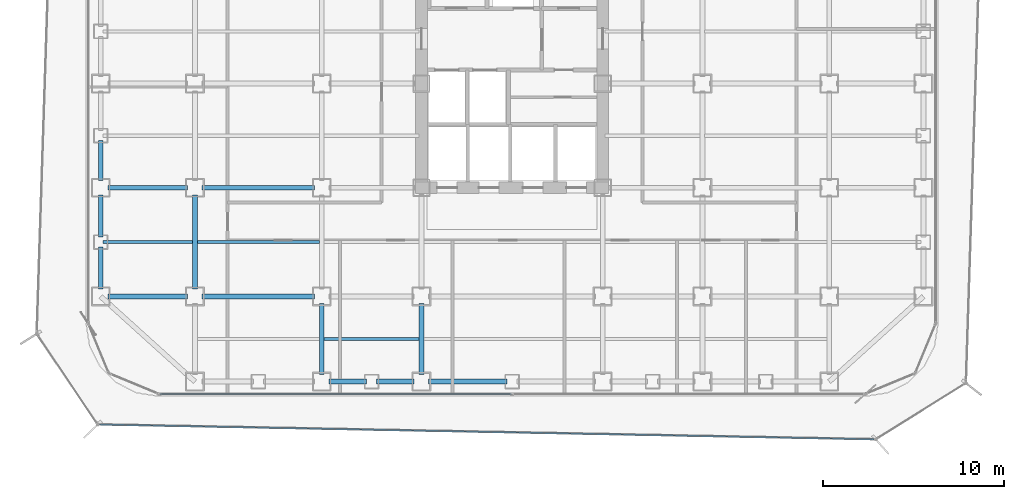
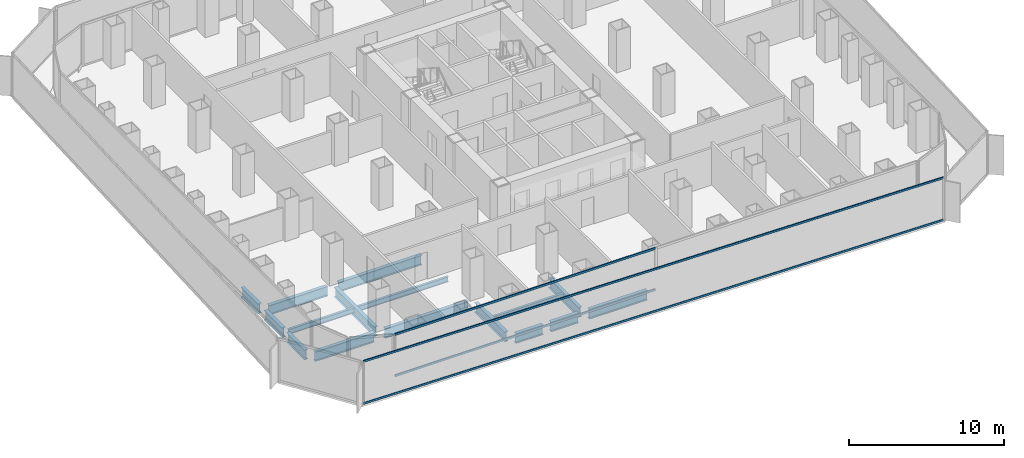
# One storey, part 3 of 22: 16 beams, 4 members, 2 elements without a shape of their own.
"""IFC4 building model written with IfcOpenShell, lengths in metres."""

import ifcopenshell
import ifcopenshell.guid

model = None  # the IFC model being written
_history = None  # IfcOwnerHistory: only IFC2X3 demands one
_inside = {}  # id of a spatial element -> (the spatial element, [elements in it])
_under = {}  # id of a project, library or spatial element -> (it, [spatial elements below it])
_declared = {}  # id of a project -> (the project, [libraries it declares])
_typed = {}  # id of a type object -> (the type object, [elements of that type])
_made_of = {}  # id of a material, layer set ... -> (it, [elements and type objects made of it])


def new_model(schema):
    """Start an empty IFC model of exactly this schema.

    Asked for "IFC4X3", IfcOpenShell would pick the latest addendum, in which some entities
    have other attributes; the version numbers below select the first issue.
    IFC2X3 requires an IfcOwnerHistory on every rooted entity: one is made here for all.
    """
    global model, _history
    if schema == "IFC4X3":
        model = ifcopenshell.file(schema_version=(4, 3, 0, 0))
    else:
        model = ifcopenshell.file(schema=schema)
    _inside.clear()
    _under.clear()
    _declared.clear()
    _typed.clear()
    _made_of.clear()
    _history = None
    if model.schema == "IFC2X3":
        org = make("IfcOrganization", Name="unknown")
        user = make(
            "IfcPersonAndOrganization",
            ThePerson=make("IfcPerson", FamilyName="unknown"),
            TheOrganization=org,
        )
        app = make(
            "IfcApplication",
            ApplicationDeveloper=org,
            Version="unknown",
            ApplicationFullName="unknown",
            ApplicationIdentifier="unknown",
        )
        _history = make(
            "IfcOwnerHistory",
            OwningUser=user,
            OwningApplication=app,
            ChangeAction="ADDED",
            CreationDate=0,
        )
    return model


def make(cls, **values):
    """One entity of the class cls with the attributes given. An attribute that is None is left unset."""
    return model.create_entity(
        cls, **{name: value for name, value in values.items() if value is not None}
    )


def rooted(cls, **values):
    """An entity with a GlobalId (a new one), such as an element, a storey or a relation."""
    return make(cls, GlobalId=ifcopenshell.guid.new(), OwnerHistory=_history, **values)


def si_unit(unit_type, name, prefix=None):
    """IfcSIUnit, for example si_unit("LENGTHUNIT", "METRE", prefix="MILLI")."""
    return make("IfcSIUnit", UnitType=unit_type, Prefix=prefix, Name=name)


def assignment(units):
    """IfcUnitAssignment: the units of a project."""
    return None if units is None else make("IfcUnitAssignment", Units=units)


def point(xyz):
    """IfcCartesianPoint."""
    return None if xyz is None else make("IfcCartesianPoint", Coordinates=xyz)


def direction(xyz):
    """IfcDirection."""
    return None if xyz is None else make("IfcDirection", DirectionRatios=xyz)


def frame(location, z_axis=None, x_axis=None):
    """IfcAxis2Placement3D, a coordinate frame: its origin and axes. An axis left out is left unset."""
    return make(
        "IfcAxis2Placement3D",
        Location=point(location),
        Axis=direction(z_axis),
        RefDirection=direction(x_axis),
    )


def frame_2d(location, x_axis=None):
    """IfcAxis2Placement2D, a coordinate frame in the plane: its origin and x axis."""
    return make(
        "IfcAxis2Placement2D", Location=point(location), RefDirection=direction(x_axis)
    )


def origin():
    """The frame at (0, 0, 0) with its axes left unset."""
    return frame((0.0, 0.0, 0.0))


def origin_2d():
    """The frame at (0, 0) in the plane with its x axis left unset."""
    return frame_2d((0.0, 0.0))


def place(relative_to, where):
    """IfcLocalPlacement: puts the frame where relative to a parent placement (None: the world)."""
    return make(
        "IfcLocalPlacement", PlacementRelTo=relative_to, RelativePlacement=where
    )


def context(
    kind, dimensions, precision=None, world=None, true_north=None, identifier=None
):
    """IfcGeometricRepresentationContext, for example the 3D "Model" context."""
    return make(
        "IfcGeometricRepresentationContext",
        ContextIdentifier=identifier,
        ContextType=kind,
        CoordinateSpaceDimension=dimensions,
        Precision=precision,
        WorldCoordinateSystem=world,
        TrueNorth=true_north,
    )


def subcontext(parent, identifier, kind, view, scale=None):
    """IfcGeometricRepresentationSubContext, for example "Body" below "Model"."""
    return make(
        "IfcGeometricRepresentationSubContext",
        ContextIdentifier=identifier,
        ContextType=kind,
        ParentContext=parent,
        TargetScale=scale,
        TargetView=view,
    )


def project(units=None, contexts=None):
    """IfcProject with its units and contexts."""
    return rooted(
        "IfcProject",
        Name="project",
        RepresentationContexts=contexts,
        UnitsInContext=assignment(units),
    )


def spatial(cls, under=None, at=None, **own):
    """A site, building, storey or space (cls), placed at a placement, below another one or the project."""
    s = rooted(cls, ObjectPlacement=at, **own)
    if under is not None:
        _under.setdefault(under.id(), (under, []))[1].append(s)
    return s


def profile(cls, at=None, kind="AREA", **sizes):
    """A parametric profile (cls). Its sizes go by their IFC names, for example OverallWidth=200.0."""
    return make(cls, ProfileType=kind, Position=at, **sizes)


def hollow_rectangle(**sizes):
    """IfcRectangleHollowProfileDef."""
    return profile("IfcRectangleHollowProfileDef", **sizes)


def i_section(**sizes):
    """IfcIShapeProfileDef."""
    return profile("IfcIShapeProfileDef", **sizes)


def extrude(swept, where, along, depth):
    """IfcExtrudedAreaSolid: the profile swept, set in the frame where, extruded along a direction by depth."""
    return make(
        "IfcExtrudedAreaSolid",
        SweptArea=swept,
        Position=where,
        ExtrudedDirection=direction(along),
        Depth=depth,
    )


def shape(context_of_items, identifier, shape_type, items):
    """IfcShapeRepresentation: the items that make up one representation, for example the "Body"."""
    return make(
        "IfcShapeRepresentation",
        ContextOfItems=context_of_items,
        RepresentationIdentifier=identifier,
        RepresentationType=shape_type,
        Items=items,
    )


def source(mapping_origin, context_of_items, identifier, shape_type, items):
    """IfcRepresentationMap: a shape defined once, which mapped items show again and again."""
    return make(
        "IfcRepresentationMap",
        MappingOrigin=mapping_origin,
        MappedRepresentation=shape(context_of_items, identifier, shape_type, items),
    )


def transform(
    local_origin,
    x_axis=None,
    y_axis=None,
    z_axis=None,
    scale=None,
    scale2=None,
    scale3=None,
    uniform=True,
):
    """IfcCartesianTransformationOperator3D, or its non-uniform kind. x_axis, y_axis, z_axis: its Axis1, 2, 3."""
    if uniform:
        return make(
            "IfcCartesianTransformationOperator3D",
            Axis1=direction(x_axis),
            Axis2=direction(y_axis),
            LocalOrigin=point(local_origin),
            Scale=scale,
            Axis3=direction(z_axis),
        )
    return make(
        "IfcCartesianTransformationOperator3DnonUniform",
        Axis1=direction(x_axis),
        Axis2=direction(y_axis),
        LocalOrigin=point(local_origin),
        Scale=scale,
        Axis3=direction(z_axis),
        Scale2=scale2,
        Scale3=scale3,
    )


def mapped(mapping_source, mapping_target):
    """IfcMappedItem: shows the shape of a source again, moved by a transform."""
    return make(
        "IfcMappedItem", MappingSource=mapping_source, MappingTarget=mapping_target
    )


def material(Name=None, Category=None):
    """IfcMaterial."""
    return make("IfcMaterial", Name=Name, Category=Category)


def layer(
    of_material, thickness, ventilated=None, Name=None, Category=None, Priority=None
):
    """IfcMaterialLayer: one layer of a wall or slab, of a material (None: an air gap)."""
    return make(
        "IfcMaterialLayer",
        Material=of_material,
        LayerThickness=thickness,
        IsVentilated=ventilated,
        Name=Name,
        Category=Category,
        Priority=Priority,
    )


def layer_set(layers, Name=None):
    """IfcMaterialLayerSet."""
    return make("IfcMaterialLayerSet", MaterialLayers=layers, LayerSetName=Name)


def material_profile(
    of_material, cross_section, Name=None, Category=None, Priority=None
):
    """IfcMaterialProfile: a cross section and its material."""
    return make(
        "IfcMaterialProfile",
        Name=Name,
        Material=of_material,
        Profile=cross_section,
        Priority=Priority,
        Category=Category,
    )


def profile_set(profiles, Name=None, composite=None):
    """IfcMaterialProfileSet."""
    return make(
        "IfcMaterialProfileSet",
        Name=Name,
        MaterialProfiles=profiles,
        CompositeProfile=composite,
    )


def made_of(thing, what):
    """Note that an element or type object is made of a material, layer set ...; save() writes the relation."""
    if what is not None:
        _made_of.setdefault(what.id(), (what, []))[1].append(thing)
    return thing


def type_object(cls, material=None, **own):
    """A type object (cls), such as IfcWallType, which elements share."""
    return made_of(rooted(cls, **own), material)


def element(
    cls,
    number,
    at=None,
    inside=None,
    cuts=None,
    type_object=None,
    material=None,
    context=None,
    identifier="Body",
    shape_type=None,
    held_by="IfcProductDefinitionShape",
    body=None,
    shapes=None,
    **own,
):
    """One element of the class cls, such as IfcWall. Its Tag is "e" and its number.

    at: its placement. inside: the storey or other place that contains it. cuts: it is an
    opening in that element (IfcRelVoidsElement). A single representation is given by context,
    identifier, shape_type and body (its items); several are given by shapes. held_by: the class
    of the entity that holds the representations. save() writes the other relations.
    """
    e = rooted(cls, Tag="e%d" % number, ObjectPlacement=at, **own)
    if body is not None:
        shapes = [shape(context, identifier, shape_type, body)]
    if shapes is not None:
        e.Representation = make(held_by, Representations=shapes)
    if inside is not None:
        _inside.setdefault(inside.id(), (inside, []))[1].append(e)
    if cuts is not None:
        rooted(
            "IfcRelVoidsElement", RelatingBuildingElement=cuts, RelatedOpeningElement=e
        )
    if type_object is not None:
        _typed.setdefault(type_object.id(), (type_object, []))[1].append(e)
    return made_of(e, material)


def aggregate(whole, parts):
    """IfcRelAggregates: a whole, such as a stair, and the parts it consists of."""
    return rooted("IfcRelAggregates", RelatingObject=whole, RelatedObjects=parts)


def save(model, path):
    """Write the relations noted so far, then the file.

    IfcRelAggregates (storeys below a building ...), IfcRelContainedInSpatialStructure (elements
    in a storey), IfcRelDefinesByType, IfcRelAssociatesMaterial and IfcRelDeclares: one each for
    every whole, place, type object, material and project.
    """
    for whole, parts in _under.values():
        aggregate(whole, parts)
    for where, things in _inside.values():
        rooted(
            "IfcRelContainedInSpatialStructure",
            RelatedElements=things,
            RelatingStructure=where,
        )
    for kind, things in _typed.values():
        rooted("IfcRelDefinesByType", RelatedObjects=things, RelatingType=kind)
    for what, things in _made_of.values():
        rooted("IfcRelAssociatesMaterial", RelatedObjects=things, RelatingMaterial=what)
    for by, libraries in _declared.values():
        rooted("IfcRelDeclares", RelatingContext=by, RelatedDefinitions=libraries)
    model.write(path)


model = new_model("IFC4")

# Units and contexts
model_context = context("Model", 3, precision=1e-05, world=origin(), true_north=direction((0.0, 1.0)))
body_context = subcontext(model_context, "Body", "Model", "MODEL_VIEW")
ifc_project = project(units=[si_unit("LENGTHUNIT", "METRE"), si_unit("AREAUNIT", "SQUARE_METRE"), si_unit("VOLUMEUNIT", "CUBIC_METRE"), si_unit("PLANEANGLEUNIT", "RADIAN"), si_unit("MASSUNIT", "GRAM", prefix="KILO")], contexts=[model_context])

# Site, building, storey
site_placement = place(None, origin())
site = spatial("IfcSite", under=ifc_project, at=site_placement, CompositionType="ELEMENT")
building_placement = place(site_placement, origin())
building = spatial("IfcBuilding", under=site, at=building_placement, Name="Kolveth Station Tower", CompositionType="ELEMENT")
storey_placement = place(building_placement, frame((0.0, 0.0, 69.300048828125)))
storey = spatial("IfcBuildingStorey", under=building, at=storey_placement, Name="L18", CompositionType="ELEMENT", Elevation=69.300048828125)

# Beams
ifc_material_1 = material(Name="Steel S355", Category="steel")
ifc_material_profile_1 = material_profile(ifc_material_1, i_section(OverallWidth=0.26904296875, OverallDepth=0.77490234375, WebThickness=0.01708984375, FlangeThickness=0.0283203125, at=origin_2d()), Name="W760x220")
ifc_profile_set_1 = profile_set([ifc_material_profile_1], Name="Steel S355")
beam_type_1 = type_object("IfcBeamType", Name="Beam_SP1", PredefinedType="SPANDREL", material=ifc_profile_set_1)
shared_shape_1 = source(origin(), body_context, "Body", "SweptSolid", [
    extrude(i_section(OverallWidth=0.26904296875, OverallDepth=0.77490234375, WebThickness=0.01708984375, FlangeThickness=0.0283203125, at=origin_2d()), origin(), (0.0, 0.0, 1.0), 2.070068359375),
])
for number, where, z_axis, x_axis, name in (
    (1, (13.39990234375, 0.800048828125, -0.66748046875), (1.0, 0.0, 0.0), (0.0, 1.0, 0.0), "L18 Perimeter Spandrel BM-L18-PS-3"),
    (2, (16.030029296875, 0.800048828125, -0.66748046875), (1.0, 0.0, 0.0), (0.0, 1.0, 0.0), "L18 Perimeter Spandrel BM-L18-PS-4"),
):
    element("IfcBeam", number, at=place(storey_placement, frame(where, z_axis=z_axis, x_axis=x_axis)), inside=storey, type_object=beam_type_1, Name=name, PredefinedType="SPANDREL", context=body_context, shape_type="MappedRepresentation", body=[
        mapped(shared_shape_1, transform((0.0, 0.0, 0.0), x_axis=(1.0, 0.0, 0.0), y_axis=(0.0, 1.0, 0.0), z_axis=(0.0, 0.0, 1.0), scale=1.0)),
    ])
shared_shape_2 = source(origin(), body_context, "Body", "SweptSolid", [
    extrude(i_section(OverallWidth=0.26904296875, OverallDepth=0.77490234375, WebThickness=0.01708984375, FlangeThickness=0.0283203125, at=origin_2d()), origin(), (0.0, 0.0, 1.0), 4.320068359375),
])
beam_1_placement = place(storey_placement, frame((18.89990234375, 0.800048828125, -0.66748046875), z_axis=(1.0, 0.0, 0.0), x_axis=(0.0, 1.0, 0.0)))
element("IfcBeam", 3, at=beam_1_placement, inside=storey, type_object=beam_type_1, Name="L18 Perimeter Spandrel BM-L18-PS-5", PredefinedType="SPANDREL", context=body_context, shape_type="MappedRepresentation", body=[
    mapped(shared_shape_2, transform((0.0, 0.0, 0.0), x_axis=(1.0, 0.0, 0.0), y_axis=(0.0, 1.0, 0.0), z_axis=(0.0, 0.0, 1.0), scale=1.0)),
])
shared_shape_3 = source(origin(), body_context, "Body", "SweptSolid", [
    extrude(i_section(OverallWidth=0.26904296875, OverallDepth=0.77490234375, WebThickness=0.01708984375, FlangeThickness=0.0283203125, at=origin_2d()), origin(), (0.0, 0.0, 1.0), 2.320068359375),
])
for number, where, z_axis, x_axis, name in (
    (4, (0.800048828125, 5.89990234375, -0.66748046875), (0.0, 1.0, 0.0), (-1.0, 0.0, 0.0), "L18 Perimeter Spandrel BM-L18-PW-1"),
    (5, (0.800048828125, 8.780029296875, -0.66748046875), (0.0, 1.0, 0.0), (-1.0, 0.0, 0.0), "L18 Perimeter Spandrel BM-L18-PW-2"),
):
    element("IfcBeam", number, at=place(storey_placement, frame(where, z_axis=z_axis, x_axis=x_axis)), inside=storey, type_object=beam_type_1, Name=name, PredefinedType="SPANDREL", context=body_context, shape_type="MappedRepresentation", body=[
        mapped(shared_shape_3, transform((0.0, 0.0, 0.0), x_axis=(1.0, 0.0, 0.0), y_axis=(0.0, 1.0, 0.0), z_axis=(0.0, 0.0, 1.0), scale=1.0)),
    ])
shared_shape_4 = source(origin(), body_context, "Body", "SweptSolid", [
    extrude(i_section(OverallWidth=0.26904296875, OverallDepth=0.77490234375, WebThickness=0.01708984375, FlangeThickness=0.0283203125, at=origin_2d()), origin(), (0.0, 0.0, 1.0), 2.2001953125),
])
beam_2_placement = place(storey_placement, frame((0.800048828125, 11.89990234375, -0.66748046875), z_axis=(0.0, 1.0, 0.0), x_axis=(-1.0, 0.0, 0.0)))
element("IfcBeam", 6, at=beam_2_placement, inside=storey, type_object=beam_type_1, Name="L18 Perimeter Spandrel BM-L18-PW-3", PredefinedType="SPANDREL", context=body_context, shape_type="MappedRepresentation", body=[
    mapped(shared_shape_4, transform((0.0, 0.0, 0.0), x_axis=(1.0, 0.0, 0.0), y_axis=(0.0, 1.0, 0.0), z_axis=(0.0, 0.0, 1.0), scale=1.0)),
])
ifc_material_profile_2 = material_profile(ifc_material_1, i_section(OverallWidth=0.26708984375, OverallDepth=0.76611328125, WebThickness=0.014892578125, FlangeThickness=0.023681640625, at=origin_2d()), Name="W760x185")
ifc_profile_set_2 = profile_set([ifc_material_profile_2], Name="Steel S355")
beam_type_2 = type_object("IfcBeamType", Name="Beam_B3", PredefinedType="BEAM", material=ifc_profile_set_2)
shared_shape_5 = source(origin(), body_context, "Body", "SweptSolid", [
    extrude(i_section(OverallWidth=0.26708984375, OverallDepth=0.76611328125, WebThickness=0.014892578125, FlangeThickness=0.023681640625, at=origin_2d()), origin(), (0.0, 0.0, 1.0), 4.400146484375),
])
for number, where, z_axis, x_axis, name in (
    (7, (1.199951171875, 5.5, -0.6630859375), (1.0, 0.0, 0.0), (0.0, 1.0, 0.0), "L18 Primary Girder BM-L18-GY55-1"),
    (8, (1.199951171875, 11.5, -0.6630859375), (1.0, 0.0, 0.0), (0.0, 1.0, 0.0), "L18 Primary Girder BM-L18-GY115-1"),
):
    element("IfcBeam", number, at=place(storey_placement, frame(where, z_axis=z_axis, x_axis=x_axis)), inside=storey, type_object=beam_type_2, Name=name, PredefinedType="BEAM", context=body_context, shape_type="MappedRepresentation", body=[
        mapped(shared_shape_5, transform((0.0, 0.0, 0.0), x_axis=(1.0, 0.0, 0.0), y_axis=(0.0, 1.0, 0.0), z_axis=(0.0, 0.0, 1.0), scale=1.0)),
    ])
shared_shape_6 = source(origin(), body_context, "Body", "SweptSolid", [
    extrude(i_section(OverallWidth=0.26708984375, OverallDepth=0.76611328125, WebThickness=0.014892578125, FlangeThickness=0.023681640625, at=origin_2d()), origin(), (0.0, 0.0, 1.0), 6.2001953125),
])
for number, where, z_axis, x_axis, name in (
    (9, (6.39990234375, 5.5, -0.6630859375), (1.0, 0.0, 0.0), (0.0, 1.0, 0.0), "L18 Primary Girder BM-L18-GY55-2"),
    (10, (6.39990234375, 11.5, -0.6630859375), (1.0, 0.0, 0.0), (0.0, 1.0, 0.0), "L18 Primary Girder BM-L18-GY115-2"),
):
    element("IfcBeam", number, at=place(storey_placement, frame(where, z_axis=z_axis, x_axis=x_axis)), inside=storey, type_object=beam_type_2, Name=name, PredefinedType="BEAM", context=body_context, shape_type="MappedRepresentation", body=[
        mapped(shared_shape_6, transform((0.0, 0.0, 0.0), x_axis=(1.0, 0.0, 0.0), y_axis=(0.0, 1.0, 0.0), z_axis=(0.0, 0.0, 1.0), scale=1.0)),
    ])
shared_shape_7 = source(origin(), body_context, "Body", "SweptSolid", [
    extrude(i_section(OverallWidth=0.26708984375, OverallDepth=0.76611328125, WebThickness=0.014892578125, FlangeThickness=0.023681640625, at=origin_2d()), origin(), (0.0, 0.0, 1.0), 3.900146484375),
])
for number, where, z_axis, x_axis, name in (
    (11, (13.0, 1.199951171875, -0.6630859375), (0.0, 1.0, 0.0), (-1.0, 0.0, 0.0), "L18 Primary Girder BM-L18-GX130-1"),
    (12, (18.5, 1.199951171875, -0.6630859375), (0.0, 1.0, 0.0), (-1.0, 0.0, 0.0), "L18 Primary Girder BM-L18-GX185-1"),
):
    element("IfcBeam", number, at=place(storey_placement, frame(where, z_axis=z_axis, x_axis=x_axis)), inside=storey, type_object=beam_type_2, Name=name, PredefinedType="BEAM", context=body_context, shape_type="MappedRepresentation", body=[
        mapped(shared_shape_7, transform((0.0, 0.0, 0.0), x_axis=(1.0, 0.0, 0.0), y_axis=(0.0, 1.0, 0.0), z_axis=(0.0, 0.0, 1.0), scale=1.0)),
    ])
shared_shape_8 = source(origin(), body_context, "Body", "SweptSolid", [
    extrude(i_section(OverallWidth=0.26708984375, OverallDepth=0.76611328125, WebThickness=0.014892578125, FlangeThickness=0.023681640625, at=origin_2d()), origin(), (0.0, 0.0, 1.0), 5.2001953125),
])
beam_3_placement = place(storey_placement, frame((6.0, 5.89990234375, -0.6630859375), z_axis=(0.0, 1.0, 0.0), x_axis=(-1.0, 0.0, 0.0)))
element("IfcBeam", 13, at=beam_3_placement, inside=storey, type_object=beam_type_2, Name="L18 Primary Girder BM-L18-GX60-2", PredefinedType="BEAM", context=body_context, shape_type="MappedRepresentation", body=[
    mapped(shared_shape_8, transform((0.0, 0.0, 0.0), x_axis=(1.0, 0.0, 0.0), y_axis=(0.0, 1.0, 0.0), z_axis=(0.0, 0.0, 1.0), scale=1.0)),
])
ifc_material_profile_3 = material_profile(ifc_material_1, i_section(OverallWidth=0.177978515625, OverallDepth=0.406982421875, WebThickness=0.0078125, FlangeThickness=0.0126953125, at=origin_2d()), Name="W410x60")
ifc_profile_set_3 = profile_set([ifc_material_profile_3], Name="Steel S355")
beam_type_3 = type_object("IfcBeamType", Name="Beam_J1", PredefinedType="JOIST", material=ifc_profile_set_3)
shared_shape_9 = source(origin(), body_context, "Body", "SweptSolid", [
    extrude(i_section(OverallWidth=0.177978515625, OverallDepth=0.406982421875, WebThickness=0.0078125, FlangeThickness=0.0126953125, at=origin_2d()), origin(), (0.0, 0.0, 1.0), 4.935791015625),
])
beam_4_placement = place(storey_placement, frame((0.9326171875, 8.5, -0.483642578125), z_axis=(1.0, 0.0, 0.0), x_axis=(0.0, 1.0, 0.0)))
element("IfcBeam", 14, at=beam_4_placement, inside=storey, type_object=beam_type_3, Name="L18 Secondary Joist JST-L18-1-2", PredefinedType="JOIST", context=body_context, shape_type="MappedRepresentation", body=[
    mapped(shared_shape_9, transform((0.0, 0.0, 0.0), x_axis=(1.0, 0.0, 0.0), y_axis=(0.0, 1.0, 0.0), z_axis=(0.0, 0.0, 1.0), scale=1.0)),
])
shared_shape_10 = source(origin(), body_context, "Body", "SweptSolid", [
    extrude(i_section(OverallWidth=0.177978515625, OverallDepth=0.406982421875, WebThickness=0.0078125, FlangeThickness=0.0126953125, at=origin_2d()), origin(), (0.0, 0.0, 1.0), 6.73681640625),
])
beam_5_placement = place(storey_placement, frame((6.131591796875, 8.5, -0.483642578125), z_axis=(1.0, 0.0, 0.0), x_axis=(0.0, 1.0, 0.0)))
element("IfcBeam", 15, at=beam_5_placement, inside=storey, type_object=beam_type_3, Name="L18 Secondary Joist JST-L18-2-2", PredefinedType="JOIST", context=body_context, shape_type="MappedRepresentation", body=[
    mapped(shared_shape_10, transform((0.0, 0.0, 0.0), x_axis=(1.0, 0.0, 0.0), y_axis=(0.0, 1.0, 0.0), z_axis=(0.0, 0.0, 1.0), scale=1.0)),
])
shared_shape_11 = source(origin(), body_context, "Body", "SweptSolid", [
    extrude(i_section(OverallWidth=0.177978515625, OverallDepth=0.406982421875, WebThickness=0.0078125, FlangeThickness=0.0126953125, at=origin_2d()), origin(), (0.0, 0.0, 1.0), 5.23681640625),
])
beam_6_placement = place(storey_placement, frame((13.131591796875, 3.14990234375, -0.483642578125), z_axis=(1.0, 0.0, 0.0), x_axis=(0.0, 1.0, 0.0)))
element("IfcBeam", 16, at=beam_6_placement, inside=storey, type_object=beam_type_3, Name="L18 Secondary Joist JST-L18-3-1", PredefinedType="JOIST", context=body_context, shape_type="MappedRepresentation", body=[
    mapped(shared_shape_11, transform((0.0, 0.0, 0.0), x_axis=(1.0, 0.0, 0.0), y_axis=(0.0, 1.0, 0.0), z_axis=(0.0, 0.0, 1.0), scale=1.0)),
])

# Curtain wall, members
ifc_material_2 = material(Name="Aluminium 6063-T6 and low-E dark glass", Category="aluminium")
ifc_layer_1 = layer(ifc_material_2, 0.179931640625)
ifc_layer_set_1 = layer_set([ifc_layer_1], Name="Aluminium 6063-T6 and low-E dark glass")
curtain_wall_type_1 = type_object("IfcCurtainWallType", Name="CurtainWall_CW-Z1", PredefinedType="NOTDEFINED", material=ifc_layer_set_1)
curtain_wall_1_placement = place(storey_placement, origin())
curtain_wall_1 = element("IfcCurtainWall", 17, at=curtain_wall_1_placement, inside=storey, type_object=curtain_wall_type_1, Name="L18 Inner Thermal Curtain Wall 12", PredefinedType="NOTDEFINED")
ifc_material_3 = material(Name="Black anodized aluminium 6063-T6", Category="aluminium")
ifc_material_profile_4 = material_profile(ifc_material_3, hollow_rectangle(XDim=0.074951171875, YDim=0.159912109375, WallThickness=0.0048828125, at=origin_2d()), Name="ALU-75x160x5")
ifc_profile_set_4 = profile_set([ifc_material_profile_4], Name="Black anodized aluminium 6063-T6")
member_type_1 = type_object("IfcMemberType", Name="Transom_TR1", PredefinedType="USERDEFINED", material=ifc_profile_set_4)
shared_shape_12 = source(origin(), body_context, "Body", "SweptSolid", [
    extrude(hollow_rectangle(XDim=0.074951171875, YDim=0.159912109375, WallThickness=0.0048828125, at=origin_2d()), origin(), (0.0, 0.0, 1.0), 19.387451171875),
])
member_1_placement = place(storey_placement, frame((4.074951171875, 0.1201171875, 0.037353515625), z_axis=(1.0, 0.0, 0.0), x_axis=(0.0, 1.0, 0.0)))
member_1 = element("IfcMember", 18, at=member_1_placement, type_object=member_type_1, Name="CW-Z1 transom 1.1", ObjectType="TRANSOM", PredefinedType="USERDEFINED", context=body_context, shape_type="MappedRepresentation", body=[
    mapped(shared_shape_12, transform((0.0, 0.0, 0.0), x_axis=(1.0, 0.0, 0.0), y_axis=(0.0, 1.0, 0.0), z_axis=(0.0, 0.0, 1.0), scale=1.0)),
])
member_2_placement = place(storey_placement, frame((4.074951171875, 0.1201171875, 3.282470703125), z_axis=(1.0, 0.0, 0.0), x_axis=(0.0, 1.0, 0.0)))
member_2 = element("IfcMember", 19, at=member_2_placement, type_object=member_type_1, Name="CW-Z1 transom 1.2", ObjectType="TRANSOM", PredefinedType="USERDEFINED", context=body_context, shape_type="MappedRepresentation", body=[
    mapped(shared_shape_12, transform((0.0, 0.0, 0.0), x_axis=(1.0, 0.0, 0.0), y_axis=(0.0, 1.0, 0.0), z_axis=(0.0, 0.0, 1.0), scale=1.0)),
])
aggregate(curtain_wall_1, [member_1, member_2])

ifc_material_4 = material(Name="Black anodized aluminium 6063-T6 and dark solar glass", Category="aluminium")
ifc_layer_2 = layer(ifc_material_4, 0.159912109375)
ifc_layer_set_2 = layer_set([ifc_layer_2], Name="Black anodized aluminium 6063-T6 and dark solar glass")
curtain_wall_type_2 = type_object("IfcCurtainWallType", Name="OUTER SKIN CW-OS", PredefinedType="NOTDEFINED", material=ifc_layer_set_2)
curtain_wall_2_placement = place(storey_placement, origin())
curtain_wall_2 = element("IfcCurtainWall", 20, at=curtain_wall_2_placement, inside=storey, type_object=curtain_wall_type_2, Name="L18 Outer Ventilated Skin Curtain Wall 8", PredefinedType="NOTDEFINED")
ifc_material_profile_5 = material_profile(ifc_material_3, hollow_rectangle(XDim=0.080078125, YDim=0.14990234375, WallThickness=0.0048828125, at=origin_2d()), Name="ALU-80x150x5")
ifc_profile_set_5 = profile_set([ifc_material_profile_5], Name="Black anodized aluminium 6063-T6")
member_type_2 = type_object("IfcMemberType", Name="Transom_TR-OS", PredefinedType="USERDEFINED", material=ifc_profile_set_5)
shared_shape_13 = source(origin(), body_context, "Body", "SweptSolid", [
    extrude(hollow_rectangle(XDim=0.080078125, YDim=0.14990234375, WallThickness=0.0048828125, at=origin_2d()), origin(), (0.0, 0.0, 1.0), 42.75341796875),
])
member_3_placement = place(storey_placement, frame((0.732421875, -1.563720703125, 0.0400390625), z_axis=(0.999817005704, -0.019129953104, 0.0), x_axis=(0.019129953104, 0.999817005704, 0.0)))
member_3 = element("IfcMember", 21, at=member_3_placement, type_object=member_type_2, Name="CW-OS transom 1.1", ObjectType="TRANSOM", PredefinedType="USERDEFINED", context=body_context, shape_type="MappedRepresentation", body=[
    mapped(shared_shape_13, transform((0.0, 0.0, 0.0), x_axis=(1.0, 0.0, 0.0), y_axis=(0.0, 1.0, 0.0), z_axis=(0.0, 0.0, 1.0), scale=1.0)),
])
member_4_placement = place(storey_placement, frame((0.732421875, -1.563720703125, 3.349853515625), z_axis=(0.999817005704, -0.019129953104, 0.0), x_axis=(0.019129953104, 0.999817005704, 0.0)))
member_4 = element("IfcMember", 22, at=member_4_placement, type_object=member_type_2, Name="CW-OS transom 1.2", ObjectType="TRANSOM", PredefinedType="USERDEFINED", context=body_context, shape_type="MappedRepresentation", body=[
    mapped(shared_shape_13, transform((0.0, 0.0, 0.0), x_axis=(1.0, 0.0, 0.0), y_axis=(0.0, 1.0, 0.0), z_axis=(0.0, 0.0, 1.0), scale=1.0)),
])
aggregate(curtain_wall_2, [member_3, member_4])

save(model, "model.ifc")
